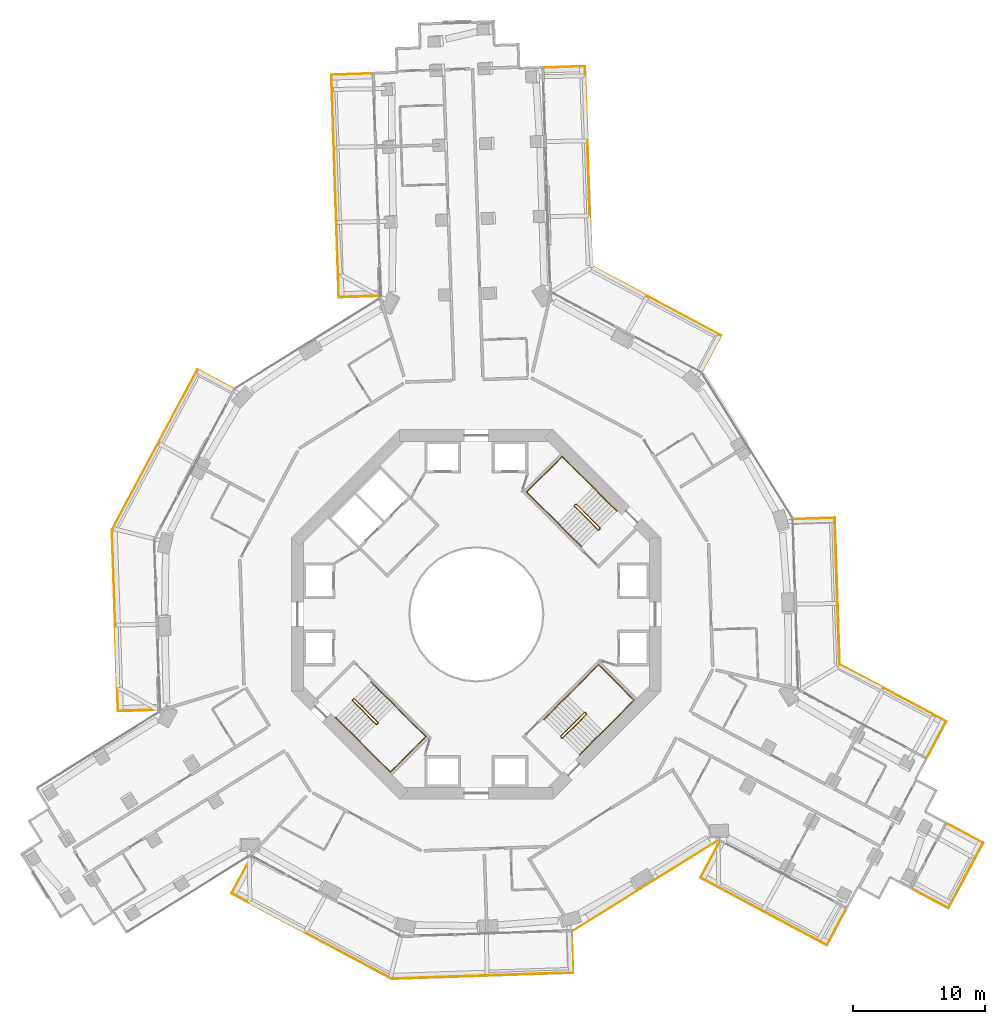
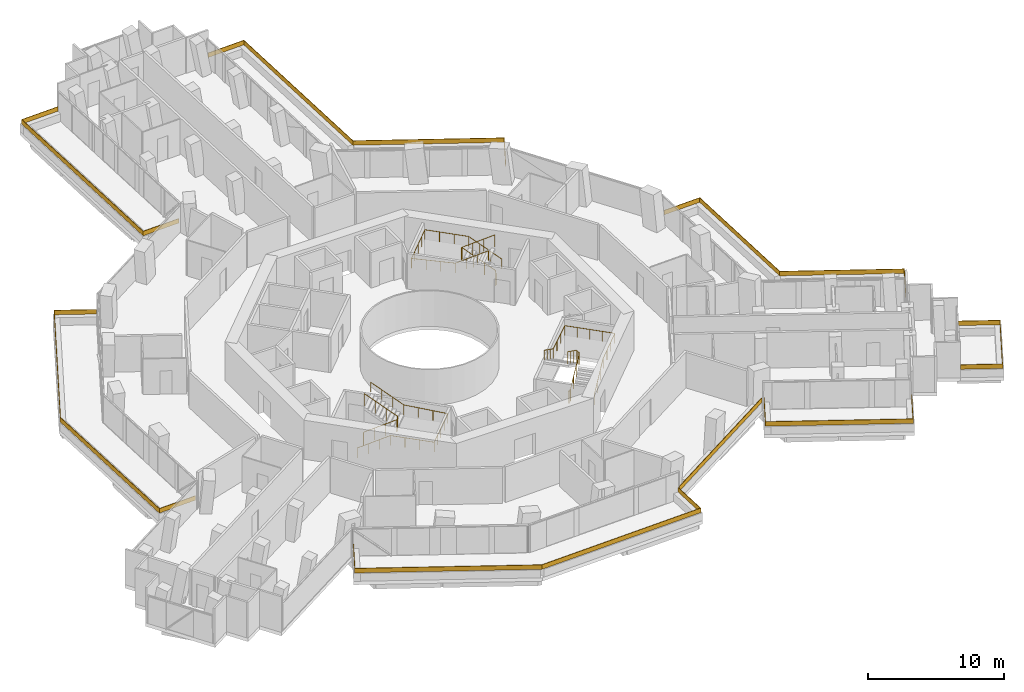
# One storey, part 27 of 27: 14 railings.
"""IFC4 building model written with IfcOpenShell, lengths in metres."""

from ifc_helpers import new_model, si_unit, direction, frame, origin, origin_2d, place, context, subcontext, project, spatial, polyline, rectangle, circle, outline, extrude, material, layer, layer_set, type_object, element, save


model = new_model("IFC4")

# Units and contexts
model_context = context("Model", 3, precision=1e-05, world=origin(), true_north=direction((0.0, 1.0)))
body_context = subcontext(model_context, "Body", "Model", "MODEL_VIEW")
ifc_project = project(units=[si_unit("LENGTHUNIT", "METRE"), si_unit("AREAUNIT", "SQUARE_METRE"), si_unit("VOLUMEUNIT", "CUBIC_METRE"), si_unit("PLANEANGLEUNIT", "RADIAN"), si_unit("MASSUNIT", "GRAM", prefix="KILO")], contexts=[model_context])

# Site, building, storey
site_placement = place(None, origin())
site = spatial("IfcSite", under=ifc_project, at=site_placement, CompositionType="ELEMENT")
building_placement = place(site_placement, origin())
building = spatial("IfcBuilding", under=site, at=building_placement, Name="Verdalira Terraces Hotel", CompositionType="ELEMENT")
storey_placement = place(building_placement, frame((0.0, 0.0, 42.5)))
storey = spatial("IfcBuildingStorey", under=building, at=storey_placement, Name="L08", CompositionType="ELEMENT", Elevation=42.5)

# Railings
ifc_material_1 = material(Name="Laminated glass", Category="glass")
ifc_layer = layer(ifc_material_1, 0.0400390625)
ifc_layer_set = layer_set([ifc_layer], Name="Balcony glass guard 400")
railing_type_1 = type_object("IfcRailingType", Name="Balcony glass guard 400", PredefinedType="GUARDRAIL", material=ifc_layer_set)
railing_1_placement = place(storey_placement, frame((0.0, 0.0, 0.699951)))
element("IfcRailing", 1, at=railing_1_placement, inside=storey, type_object=railing_type_1, Name="Balcony glass guard", PredefinedType="GUARDRAIL", context=body_context, shape_type="SweptSolid", body=[
    extrude(outline(polyline([(-10.954346, 40.837158), (-10.391357, 24.043701), (-7.314209, 24.146729), (-7.312744, 24.106934), (-10.429932, 24.002441), (-10.995605, 40.875732), (-7.878418, 40.980225), (-7.877197, 40.94043), (-10.954346, 40.837158)])), origin(), (0.0, 0.0, 1.0), 0.400146),
])
railing_2_placement = place(storey_placement, frame((0.0, 0.0, 0.699951)))
element("IfcRailing", 2, at=railing_2_placement, inside=storey, type_object=railing_type_1, Name="Balcony glass guard", PredefinedType="GUARDRAIL", context=body_context, shape_type="SweptSolid", body=[
    extrude(outline(polyline([(-21.117188, 18.497314), (-27.568359, 6.405273), (-27.109131, -7.29248), (-24.031982, -7.189209), (-24.030518, -7.229248), (-27.147949, -7.33374), (-27.608643, 6.414551), (-21.133789, 18.551514), (-18.381836, 17.083252), (-18.400635, 17.048096), (-21.117188, 18.497314)])), origin(), (0.0, 0.0, 1.0), 0.400146),
])
railing_3_placement = place(storey_placement, frame((0.0, 0.0, 0.699951)))
element("IfcRailing", 3, at=railing_3_placement, inside=storey, type_object=railing_type_1, Name="Balcony glass guard", PredefinedType="GUARDRAIL", context=body_context, shape_type="SweptSolid", body=[
    extrude(outline(polyline([(-18.497314, -21.117188), (-6.405273, -27.568359), (7.29248, -27.109131), (7.189209, -24.031982), (7.229248, -24.030518), (7.33374, -27.147949), (-6.414551, -27.608643), (-18.551514, -21.133789), (-17.083252, -18.381836), (-17.048096, -18.400635), (-18.497314, -21.117188)])), origin(), (0.0, 0.0, 1.0), 0.400146),
])
railing_4_placement = place(storey_placement, frame((0.0, 0.0, 0.699951)))
element("IfcRailing", 4, at=railing_4_placement, inside=storey, type_object=railing_type_1, Name="Balcony glass guard", PredefinedType="GUARDRAIL", context=body_context, shape_type="SweptSolid", body=[
    extrude(outline(polyline([(16.999512, -19.927246), (26.530762, -25.012207), (27.97998, -22.295654), (28.015381, -22.314453), (26.547119, -25.066406), (16.945312, -19.943848), (18.41333, -17.191895), (18.44873, -17.210693), (16.999512, -19.927246)])), origin(), (0.0, 0.0, 1.0), 0.400146),
])
railing_5_placement = place(storey_placement, frame((0.0, 0.0, 0.699951)))
element("IfcRailing", 5, at=railing_5_placement, inside=storey, type_object=railing_type_1, Name="Balcony glass guard", PredefinedType="GUARDRAIL", context=body_context, shape_type="SweptSolid", body=[
    extrude(outline(polyline([(35.731201, -22.213623), (38.348145, -17.307861), (35.631592, -15.858643), (35.650391, -15.823486), (38.402344, -17.291504), (35.747559, -22.267578), (32.99585, -20.799561), (33.014648, -20.76416), (35.731201, -22.213623)])), origin(), (0.0, 0.0, 1.0), 0.400146),
])
railing_6_placement = place(storey_placement, frame((0.0, 0.0, 0.699951)))
element("IfcRailing", 6, at=railing_6_placement, inside=storey, type_object=railing_type_1, Name="Balcony glass guard", PredefinedType="GUARDRAIL", context=body_context, shape_type="SweptSolid", body=[
    extrude(outline(polyline([(35.549561, -8.107666), (27.481201, -3.803223), (27.109131, 7.29248), (24.031982, 7.189209), (24.030518, 7.229248), (27.147949, 7.33374), (27.520264, -3.778809), (35.603516, -8.091064), (34.135498, -10.843018), (34.100098, -10.824219), (35.549561, -8.107666)])), origin(), (0.0, 0.0, 1.0), 0.400146),
])
railing_7_placement = place(storey_placement, frame((0.0, 0.0, 0.699951)))
element("IfcRailing", 7, at=railing_7_placement, inside=storey, type_object=railing_type_1, Name="Balcony glass guard", PredefinedType="GUARDRAIL", context=body_context, shape_type="SweptSolid", body=[
    extrude(outline(polyline([(18.497314, 21.117188), (8.702393, 26.343018), (8.194824, 41.479004), (5.117676, 41.375977), (5.116211, 41.416016), (8.233398, 41.520508), (8.741455, 26.367432), (18.551514, 21.133789), (17.083252, 18.381836), (17.048096, 18.400635), (18.497314, 21.117188)])), origin(), (0.0, 0.0, 1.0), 0.400146),
])
railing_8_placement = place(storey_placement, frame((12.799805, -20.547607, 0.699951), z_axis=(0.0, 0.0, 1.0), x_axis=(0.848787176, 0.52873465, 0.0)))
element("IfcRailing", 8, at=railing_8_placement, inside=storey, type_object=railing_type_1, Name="Loggia glass guard", PredefinedType="GUARDRAIL", context=body_context, shape_type="SweptSolid", body=[
    extrude(rectangle(XDim=12.840088, YDim=0.040039, at=origin_2d()), origin(), (0.0, 0.0, 1.0), 0.399902),
])
ifc_material_2 = material(Name="Stainless steel", Category="steel")
railing_type_2 = type_object("IfcRailingType", Name="Stair guard 1100", PredefinedType="GUARDRAIL", material=ifc_material_2)
railing_9_placement = place(storey_placement, frame((9.369141, 6.469971, 0.0)))
element("IfcRailing", 9, at=railing_9_placement, inside=storey, type_object=railing_type_2, Name="L08 ST1 stair guard 1", PredefinedType="GUARDRAIL", context=body_context, shape_type="SweptSolid", body=[
    extrude(circle(Radius=0.023926, at=origin_2d()), frame((0.0, 0.0, 1.076172), z_axis=(-0.70832698, -0.705884473, 0.0), x_axis=(0.705884473, -0.70832698, 0.0)), (0.0, 0.0, 1.0), 0.099854),
    extrude(circle(Radius=0.023926, at=origin_2d()), frame((-0.070801, -0.070557, 1.076172), z_axis=(0.300162975, 0.599290904, 0.742127078), x_axis=(-0.894118129, 0.447831187, 0.0)), (0.0, 0.0, 1.0), 0.23584),
    extrude(circle(Radius=0.023926, at=origin_2d()), frame((0.0, 0.070801, 1.250977), z_axis=(-0.599637504, 0.599637504, 0.52997144), x_axis=(-0.707106781, -0.707106781, 0.0)), (0.0, 0.0, 1.0), 2.97168),
    extrude(circle(Radius=0.023926, at=origin_2d()), frame((-1.781982, 1.852783, 2.826172), z_axis=(-1.0, 0.0, 0.0), x_axis=(0.0, -1.0, 0.0)), (0.0, 0.0, 1.0), 0.070557),
    extrude(circle(Radius=0.023926, at=origin_2d()), frame((-1.852539, 1.852783, 2.826172), z_axis=(-0.707106781, -0.707106781, 0.0), x_axis=(0.707106781, -0.707106781, 0.0)), (0.0, 0.0, 1.0), 0.100098),
    extrude(circle(Radius=0.023926, at=origin_2d()), frame((-1.92334, 1.781982, 2.826172), z_axis=(0.0, -0.374954687, 0.92704314), x_axis=(1.0, 0.0, 0.0)), (0.0, 0.0, 1.0), 0.188721),
    extrude(circle(Radius=0.023926, at=origin_2d()), frame((-1.92334, 1.711182, 3.000977), z_axis=(0.599667044, -0.599584886, 0.529997548), x_axis=(0.707058338, 0.707155221, 0.0)), (0.0, 0.0, 1.0), 2.97168),
    extrude(circle(Radius=0.020996, at=origin_2d()), origin(), (0.0, 0.0, 1.0), 1.052002),
    extrude(circle(Radius=0.020996, at=origin_2d()), frame((-0.070801, -0.070557, 0.0)), (0.0, 0.0, 1.0), 1.052002),
    extrude(circle(Radius=0.020996, at=origin_2d()), frame((0.0, 0.070801, 0.175049)), (0.0, 0.0, 1.0), 1.052002),
    extrude(circle(Radius=0.020996, at=origin_2d()), frame((-0.593994, 0.664795, 0.699951)), (0.0, 0.0, 1.0), 1.052002),
    extrude(circle(Radius=0.020996, at=origin_2d()), frame((-1.187988, 1.258789, 1.225098)), (0.0, 0.0, 1.0), 1.052002),
    extrude(circle(Radius=0.020996, at=origin_2d()), frame((-1.781982, 1.852783, 1.75)), (0.0, 0.0, 1.0), 1.052002),
    extrude(circle(Radius=0.020996, at=origin_2d()), frame((-1.852539, 1.852783, 1.75)), (0.0, 0.0, 1.0), 1.052002),
    extrude(circle(Radius=0.020996, at=origin_2d()), frame((-1.92334, 1.781982, 1.75)), (0.0, 0.0, 1.0), 1.052002),
    extrude(circle(Radius=0.020996, at=origin_2d()), frame((-1.92334, 1.711182, 1.925049)), (0.0, 0.0, 1.0), 1.052002),
    extrude(circle(Radius=0.020996, at=origin_2d()), frame((-1.329346, 1.117188, 2.449951)), (0.0, 0.0, 1.0), 1.052002),
    extrude(circle(Radius=0.020996, at=origin_2d()), frame((-0.735352, 0.523438, 2.975098)), (0.0, 0.0, 1.0), 1.052002),
    extrude(circle(Radius=0.020996, at=origin_2d()), frame((-0.141357, -0.070557, 3.5)), (0.0, 0.0, 1.0), 1.052002),
])
railing_10_placement = place(storey_placement, frame((-9.369141, -6.469971, 0.0)))
element("IfcRailing", 10, at=railing_10_placement, inside=storey, type_object=railing_type_2, Name="L08 ST2 stair guard 1", PredefinedType="GUARDRAIL", context=body_context, shape_type="SweptSolid", body=[
    extrude(circle(Radius=0.023926, at=origin_2d()), frame((0.0, 0.0, 1.076172), z_axis=(0.70832698, 0.705884473, 0.0), x_axis=(-0.705884473, 0.70832698, 0.0)), (0.0, 0.0, 1.0), 0.099854),
    extrude(circle(Radius=0.023926, at=origin_2d()), frame((0.070801, 0.070557, 1.076172), z_axis=(-0.300162975, -0.599290904, 0.742127078), x_axis=(0.894118129, -0.447831187, 0.0)), (0.0, 0.0, 1.0), 0.23584),
    extrude(circle(Radius=0.023926, at=origin_2d()), frame((0.0, -0.070801, 1.250977), z_axis=(0.599637504, -0.599637504, 0.52997144), x_axis=(0.707106781, 0.707106781, 0.0)), (0.0, 0.0, 1.0), 2.97168),
    extrude(circle(Radius=0.023926, at=origin_2d()), frame((1.781982, -1.852783, 2.826172), z_axis=(1.0, 0.0, 0.0), x_axis=(0.0, 1.0, 0.0)), (0.0, 0.0, 1.0), 0.070557),
    extrude(circle(Radius=0.023926, at=origin_2d()), frame((1.852539, -1.852783, 2.826172), z_axis=(0.707106781, 0.707106781, 0.0), x_axis=(-0.707106781, 0.707106781, 0.0)), (0.0, 0.0, 1.0), 0.100098),
    extrude(circle(Radius=0.023926, at=origin_2d()), frame((1.92334, -1.781982, 2.826172), z_axis=(0.0, 0.374954687, 0.92704314), x_axis=(-1.0, 0.0, 0.0)), (0.0, 0.0, 1.0), 0.188721),
    extrude(circle(Radius=0.023926, at=origin_2d()), frame((1.92334, -1.711182, 3.000977), z_axis=(-0.599667044, 0.599584886, 0.529997548), x_axis=(-0.707058338, -0.707155221, 0.0)), (0.0, 0.0, 1.0), 2.97168),
    extrude(circle(Radius=0.020996, at=origin_2d()), origin(), (0.0, 0.0, 1.0), 1.052002),
    extrude(circle(Radius=0.020996, at=origin_2d()), frame((0.070801, 0.070557, 0.0)), (0.0, 0.0, 1.0), 1.052002),
    extrude(circle(Radius=0.020996, at=origin_2d()), frame((0.0, -0.070801, 0.175049)), (0.0, 0.0, 1.0), 1.052002),
    extrude(circle(Radius=0.020996, at=origin_2d()), frame((0.593994, -0.664795, 0.699951)), (0.0, 0.0, 1.0), 1.052002),
    extrude(circle(Radius=0.020996, at=origin_2d()), frame((1.187988, -1.258789, 1.225098)), (0.0, 0.0, 1.0), 1.052002),
    extrude(circle(Radius=0.020996, at=origin_2d()), frame((1.781982, -1.852783, 1.75)), (0.0, 0.0, 1.0), 1.052002),
    extrude(circle(Radius=0.020996, at=origin_2d()), frame((1.852539, -1.852783, 1.75)), (0.0, 0.0, 1.0), 1.052002),
    extrude(circle(Radius=0.020996, at=origin_2d()), frame((1.92334, -1.781982, 1.75)), (0.0, 0.0, 1.0), 1.052002),
    extrude(circle(Radius=0.020996, at=origin_2d()), frame((1.92334, -1.711182, 1.925049)), (0.0, 0.0, 1.0), 1.052002),
    extrude(circle(Radius=0.020996, at=origin_2d()), frame((1.329346, -1.117188, 2.449951)), (0.0, 0.0, 1.0), 1.052002),
    extrude(circle(Radius=0.020996, at=origin_2d()), frame((0.735352, -0.523438, 2.975098)), (0.0, 0.0, 1.0), 1.052002),
    extrude(circle(Radius=0.020996, at=origin_2d()), frame((0.141357, 0.070557, 3.5)), (0.0, 0.0, 1.0), 1.052002),
])
railing_11_placement = place(storey_placement, frame((6.469971, -9.369141, 0.0)))
element("IfcRailing", 11, at=railing_11_placement, inside=storey, type_object=railing_type_2, Name="L08 ST3 stair guard 1", PredefinedType="GUARDRAIL", context=body_context, shape_type="SweptSolid", body=[
    extrude(circle(Radius=0.023926, at=origin_2d()), frame((0.0, 0.0, 1.076172), z_axis=(-0.705884473, 0.70832698, 0.0), x_axis=(-0.70832698, -0.705884473, 0.0)), (0.0, 0.0, 1.0), 0.099854),
    extrude(circle(Radius=0.023926, at=origin_2d()), frame((-0.070557, 0.070801, 1.076172), z_axis=(0.599290904, -0.300162975, 0.742127078), x_axis=(0.447831187, 0.894118129, 0.0)), (0.0, 0.0, 1.0), 0.23584),
    extrude(circle(Radius=0.023926, at=origin_2d()), frame((0.070801, 0.0, 1.250977), z_axis=(0.599637504, 0.599637504, 0.52997144), x_axis=(-0.707106781, 0.707106781, 0.0)), (0.0, 0.0, 1.0), 2.97168),
    extrude(circle(Radius=0.023926, at=origin_2d()), frame((1.852783, 1.781982, 2.826172), z_axis=(0.0, 1.0, 0.0), x_axis=(-1.0, 0.0, 0.0)), (0.0, 0.0, 1.0), 0.070557),
    extrude(circle(Radius=0.023926, at=origin_2d()), frame((1.852783, 1.852539, 2.826172), z_axis=(-0.707106781, 0.707106781, 0.0), x_axis=(-0.707106781, -0.707106781, 0.0)), (0.0, 0.0, 1.0), 0.100098),
    extrude(circle(Radius=0.023926, at=origin_2d()), frame((1.781982, 1.92334, 2.826172), z_axis=(-0.374954687, 0.0, 0.92704314), x_axis=(0.0, -1.0, 0.0)), (0.0, 0.0, 1.0), 0.188721),
    extrude(circle(Radius=0.023926, at=origin_2d()), frame((1.711182, 1.92334, 3.000977), z_axis=(-0.599584886, -0.599667044, 0.529997548), x_axis=(0.707155221, -0.707058338, 0.0)), (0.0, 0.0, 1.0), 2.97168),
    extrude(circle(Radius=0.020996, at=origin_2d()), origin(), (0.0, 0.0, 1.0), 1.052002),
    extrude(circle(Radius=0.020996, at=origin_2d()), frame((-0.070557, 0.070801, 0.0)), (0.0, 0.0, 1.0), 1.052002),
    extrude(circle(Radius=0.020996, at=origin_2d()), frame((0.070801, 0.0, 0.175049)), (0.0, 0.0, 1.0), 1.052002),
    extrude(circle(Radius=0.020996, at=origin_2d()), frame((0.664795, 0.593994, 0.699951)), (0.0, 0.0, 1.0), 1.052002),
    extrude(circle(Radius=0.020996, at=origin_2d()), frame((1.258789, 1.187988, 1.225098)), (0.0, 0.0, 1.0), 1.052002),
    extrude(circle(Radius=0.020996, at=origin_2d()), frame((1.852783, 1.781982, 1.75)), (0.0, 0.0, 1.0), 1.052002),
    extrude(circle(Radius=0.020996, at=origin_2d()), frame((1.852783, 1.852539, 1.75)), (0.0, 0.0, 1.0), 1.052002),
    extrude(circle(Radius=0.020996, at=origin_2d()), frame((1.781982, 1.92334, 1.75)), (0.0, 0.0, 1.0), 1.052002),
    extrude(circle(Radius=0.020996, at=origin_2d()), frame((1.711182, 1.92334, 1.925049)), (0.0, 0.0, 1.0), 1.052002),
    extrude(circle(Radius=0.020996, at=origin_2d()), frame((1.117188, 1.329346, 2.449951)), (0.0, 0.0, 1.0), 1.052002),
    extrude(circle(Radius=0.020996, at=origin_2d()), frame((0.523438, 0.735352, 2.975098)), (0.0, 0.0, 1.0), 1.052002),
    extrude(circle(Radius=0.020996, at=origin_2d()), frame((-0.070557, 0.141357, 3.5)), (0.0, 0.0, 1.0), 1.052002),
])
ifc_material_3 = material(Name="Stainless steel", Category="steel")
railing_type_3 = type_object("IfcRailingType", Name="Stair handrail 900", PredefinedType="HANDRAIL", material=ifc_material_3)
railing_12_placement = place(storey_placement, frame((10.641846, 7.813477, 0.175049)))
element("IfcRailing", 12, at=railing_12_placement, inside=storey, type_object=railing_type_3, Name="L08 ST1 stair handrail 1", PredefinedType="HANDRAIL", context=body_context, shape_type="SweptSolid", body=[
    extrude(circle(Radius=0.023926, at=origin_2d()), frame((0.0, 0.0, 0.875977), z_axis=(-0.599584886, 0.599667044, 0.529997548), x_axis=(-0.707155221, -0.707058338, 0.0)), (0.0, 0.0, 1.0), 2.97168),
    extrude(circle(Radius=0.023926, at=origin_2d()), frame((-1.781738, 1.781982, 2.450684), z_axis=(-0.707106781, 0.707106781, 0.0), x_axis=(-0.707106781, -0.707106781, 0.0)), (0.0, 0.0, 1.0), 3.330078),
    extrude(circle(Radius=0.023926, at=origin_2d()), frame((-4.136475, 4.136719, 2.450684), z_axis=(-0.707106781, -0.707106781, 0.0), x_axis=(0.707106781, -0.707106781, 0.0)), (0.0, 0.0, 1.0), 3.800049),
    extrude(circle(Radius=0.023926, at=origin_2d()), frame((-6.823486, 1.449707, 2.450684), z_axis=(0.706131881, -0.706131881, 0.052493163), x_axis=(0.707106781, 0.707106781, 0.0)), (0.0, 0.0, 1.0), 3.334717),
    extrude(circle(Radius=0.023926, at=origin_2d()), frame((-4.46875, -0.905029, 2.625977), z_axis=(0.599584886, -0.599667044, 0.529997548), x_axis=(0.707155221, 0.707058338, 0.0)), (0.0, 0.0, 1.0), 2.97168),
    extrude(circle(Radius=0.020996, at=origin_2d()), origin(), (0.0, 0.0, 1.0), 0.851807),
    extrude(circle(Radius=0.020996, at=origin_2d()), frame((-0.593994, 0.593994, 0.524902)), (0.0, 0.0, 1.0), 0.851807),
    extrude(circle(Radius=0.020996, at=origin_2d()), frame((-1.187744, 1.187988, 1.050049)), (0.0, 0.0, 1.0), 0.851807),
    extrude(circle(Radius=0.020996, at=origin_2d()), frame((-1.781738, 1.781982, 1.574951)), (0.0, 0.0, 1.0), 0.851807),
    extrude(circle(Radius=0.020996, at=origin_2d()), frame((-2.56665, 2.566895, 1.574951)), (0.0, 0.0, 1.0), 0.851807),
    extrude(circle(Radius=0.020996, at=origin_2d()), frame((-3.351562, 3.351807, 1.574951)), (0.0, 0.0, 1.0), 0.851807),
    extrude(circle(Radius=0.020996, at=origin_2d()), frame((-4.136475, 4.136719, 1.574951)), (0.0, 0.0, 1.0), 0.851807),
    extrude(circle(Radius=0.020996, at=origin_2d()), frame((-4.808105, 3.464844, 1.574951)), (0.0, 0.0, 1.0), 0.851807),
    extrude(circle(Radius=0.020996, at=origin_2d()), frame((-5.47998, 2.793213, 1.574951)), (0.0, 0.0, 1.0), 0.851807),
    extrude(circle(Radius=0.020996, at=origin_2d()), frame((-6.151855, 2.121582, 1.574951)), (0.0, 0.0, 1.0), 0.851807),
    extrude(circle(Radius=0.020996, at=origin_2d()), frame((-6.823486, 1.449707, 1.574951)), (0.0, 0.0, 1.0), 0.851807),
    extrude(circle(Radius=0.020996, at=origin_2d()), frame((-6.038574, 0.664795, 1.633301)), (0.0, 0.0, 1.0), 0.851807),
    extrude(circle(Radius=0.020996, at=origin_2d()), frame((-5.253662, -0.120117, 1.69165)), (0.0, 0.0, 1.0), 0.851807),
    extrude(circle(Radius=0.020996, at=origin_2d()), frame((-4.46875, -0.905029, 1.75)), (0.0, 0.0, 1.0), 0.851807),
    extrude(circle(Radius=0.020996, at=origin_2d()), frame((-3.874756, -1.499023, 2.274902)), (0.0, 0.0, 1.0), 0.851807),
    extrude(circle(Radius=0.020996, at=origin_2d()), frame((-3.281006, -2.093018, 2.800049)), (0.0, 0.0, 1.0), 0.851807),
    extrude(circle(Radius=0.020996, at=origin_2d()), frame((-2.687012, -2.687012, 3.324951)), (0.0, 0.0, 1.0), 0.851807),
])
railing_13_placement = place(storey_placement, frame((-10.641846, -7.813477, 0.175049)))
element("IfcRailing", 13, at=railing_13_placement, inside=storey, type_object=railing_type_3, Name="L08 ST2 stair handrail 1", PredefinedType="HANDRAIL", context=body_context, shape_type="SweptSolid", body=[
    extrude(circle(Radius=0.023926, at=origin_2d()), frame((0.0, 0.0, 0.875977), z_axis=(0.599584886, -0.599667044, 0.529997548), x_axis=(0.707155221, 0.707058338, 0.0)), (0.0, 0.0, 1.0), 2.97168),
    extrude(circle(Radius=0.023926, at=origin_2d()), frame((1.781738, -1.781982, 2.450684), z_axis=(0.707106781, -0.707106781, 0.0), x_axis=(0.707106781, 0.707106781, 0.0)), (0.0, 0.0, 1.0), 3.330078),
    extrude(circle(Radius=0.023926, at=origin_2d()), frame((4.136475, -4.136719, 2.450684), z_axis=(0.707106781, 0.707106781, 0.0), x_axis=(-0.707106781, 0.707106781, 0.0)), (0.0, 0.0, 1.0), 3.800049),
    extrude(circle(Radius=0.023926, at=origin_2d()), frame((6.823486, -1.449707, 2.450684), z_axis=(-0.706131881, 0.706131881, 0.052493163), x_axis=(-0.707106781, -0.707106781, 0.0)), (0.0, 0.0, 1.0), 3.334717),
    extrude(circle(Radius=0.023926, at=origin_2d()), frame((4.46875, 0.905029, 2.625977), z_axis=(-0.599584886, 0.599667044, 0.529997548), x_axis=(-0.707155221, -0.707058338, 0.0)), (0.0, 0.0, 1.0), 2.97168),
    extrude(circle(Radius=0.020996, at=origin_2d()), origin(), (0.0, 0.0, 1.0), 0.851807),
    extrude(circle(Radius=0.020996, at=origin_2d()), frame((0.593994, -0.593994, 0.524902)), (0.0, 0.0, 1.0), 0.851807),
    extrude(circle(Radius=0.020996, at=origin_2d()), frame((1.187744, -1.187988, 1.050049)), (0.0, 0.0, 1.0), 0.851807),
    extrude(circle(Radius=0.020996, at=origin_2d()), frame((1.781738, -1.781982, 1.574951)), (0.0, 0.0, 1.0), 0.851807),
    extrude(circle(Radius=0.020996, at=origin_2d()), frame((2.56665, -2.566895, 1.574951)), (0.0, 0.0, 1.0), 0.851807),
    extrude(circle(Radius=0.020996, at=origin_2d()), frame((3.351562, -3.351807, 1.574951)), (0.0, 0.0, 1.0), 0.851807),
    extrude(circle(Radius=0.020996, at=origin_2d()), frame((4.136475, -4.136719, 1.574951)), (0.0, 0.0, 1.0), 0.851807),
    extrude(circle(Radius=0.020996, at=origin_2d()), frame((4.808105, -3.464844, 1.574951)), (0.0, 0.0, 1.0), 0.851807),
    extrude(circle(Radius=0.020996, at=origin_2d()), frame((5.47998, -2.793213, 1.574951)), (0.0, 0.0, 1.0), 0.851807),
    extrude(circle(Radius=0.020996, at=origin_2d()), frame((6.151855, -2.121582, 1.574951)), (0.0, 0.0, 1.0), 0.851807),
    extrude(circle(Radius=0.020996, at=origin_2d()), frame((6.823486, -1.449707, 1.574951)), (0.0, 0.0, 1.0), 0.851807),
    extrude(circle(Radius=0.020996, at=origin_2d()), frame((6.038574, -0.664795, 1.633301)), (0.0, 0.0, 1.0), 0.851807),
    extrude(circle(Radius=0.020996, at=origin_2d()), frame((5.253662, 0.120117, 1.69165)), (0.0, 0.0, 1.0), 0.851807),
    extrude(circle(Radius=0.020996, at=origin_2d()), frame((4.46875, 0.905029, 1.75)), (0.0, 0.0, 1.0), 0.851807),
    extrude(circle(Radius=0.020996, at=origin_2d()), frame((3.874756, 1.499023, 2.274902)), (0.0, 0.0, 1.0), 0.851807),
    extrude(circle(Radius=0.020996, at=origin_2d()), frame((3.281006, 2.093018, 2.800049)), (0.0, 0.0, 1.0), 0.851807),
    extrude(circle(Radius=0.020996, at=origin_2d()), frame((2.687012, 2.687012, 3.324951)), (0.0, 0.0, 1.0), 0.851807),
])
railing_14_placement = place(storey_placement, frame((7.813477, -10.641846, 0.175049)))
element("IfcRailing", 14, at=railing_14_placement, inside=storey, type_object=railing_type_3, Name="L08 ST3 stair handrail 1", PredefinedType="HANDRAIL", context=body_context, shape_type="SweptSolid", body=[
    extrude(circle(Radius=0.023926, at=origin_2d()), frame((0.0, 0.0, 0.875977), z_axis=(0.599667044, 0.599584886, 0.529997548), x_axis=(-0.707058338, 0.707155221, 0.0)), (0.0, 0.0, 1.0), 2.97168),
    extrude(circle(Radius=0.023926, at=origin_2d()), frame((1.781982, 1.781738, 2.450684), z_axis=(0.707106781, 0.707106781, 0.0), x_axis=(-0.707106781, 0.707106781, 0.0)), (0.0, 0.0, 1.0), 3.330078),
    extrude(circle(Radius=0.023926, at=origin_2d()), frame((4.136719, 4.136475, 2.450684), z_axis=(-0.707106781, 0.707106781, 0.0), x_axis=(-0.707106781, -0.707106781, 0.0)), (0.0, 0.0, 1.0), 3.800049),
    extrude(circle(Radius=0.023926, at=origin_2d()), frame((1.449707, 6.823486, 2.450684), z_axis=(-0.706131881, -0.706131881, 0.052493163), x_axis=(0.707106781, -0.707106781, 0.0)), (0.0, 0.0, 1.0), 3.334717),
    extrude(circle(Radius=0.023926, at=origin_2d()), frame((-0.905029, 4.46875, 2.625977), z_axis=(-0.599667044, -0.599584886, 0.529997548), x_axis=(0.707058338, -0.707155221, 0.0)), (0.0, 0.0, 1.0), 2.97168),
    extrude(circle(Radius=0.020996, at=origin_2d()), origin(), (0.0, 0.0, 1.0), 0.851807),
    extrude(circle(Radius=0.020996, at=origin_2d()), frame((0.593994, 0.593994, 0.524902)), (0.0, 0.0, 1.0), 0.851807),
    extrude(circle(Radius=0.020996, at=origin_2d()), frame((1.187988, 1.187744, 1.050049)), (0.0, 0.0, 1.0), 0.851807),
    extrude(circle(Radius=0.020996, at=origin_2d()), frame((1.781982, 1.781738, 1.574951)), (0.0, 0.0, 1.0), 0.851807),
    extrude(circle(Radius=0.020996, at=origin_2d()), frame((2.566895, 2.56665, 1.574951)), (0.0, 0.0, 1.0), 0.851807),
    extrude(circle(Radius=0.020996, at=origin_2d()), frame((3.351807, 3.351562, 1.574951)), (0.0, 0.0, 1.0), 0.851807),
    extrude(circle(Radius=0.020996, at=origin_2d()), frame((4.136719, 4.136475, 1.574951)), (0.0, 0.0, 1.0), 0.851807),
    extrude(circle(Radius=0.020996, at=origin_2d()), frame((3.464844, 4.808105, 1.574951)), (0.0, 0.0, 1.0), 0.851807),
    extrude(circle(Radius=0.020996, at=origin_2d()), frame((2.793213, 5.47998, 1.574951)), (0.0, 0.0, 1.0), 0.851807),
    extrude(circle(Radius=0.020996, at=origin_2d()), frame((2.121582, 6.151855, 1.574951)), (0.0, 0.0, 1.0), 0.851807),
    extrude(circle(Radius=0.020996, at=origin_2d()), frame((1.449707, 6.823486, 1.574951)), (0.0, 0.0, 1.0), 0.851807),
    extrude(circle(Radius=0.020996, at=origin_2d()), frame((0.664795, 6.038574, 1.633301)), (0.0, 0.0, 1.0), 0.851807),
    extrude(circle(Radius=0.020996, at=origin_2d()), frame((-0.120117, 5.253662, 1.69165)), (0.0, 0.0, 1.0), 0.851807),
    extrude(circle(Radius=0.020996, at=origin_2d()), frame((-0.905029, 4.46875, 1.75)), (0.0, 0.0, 1.0), 0.851807),
    extrude(circle(Radius=0.020996, at=origin_2d()), frame((-1.499023, 3.874756, 2.274902)), (0.0, 0.0, 1.0), 0.851807),
    extrude(circle(Radius=0.020996, at=origin_2d()), frame((-2.093018, 3.281006, 2.800049)), (0.0, 0.0, 1.0), 0.851807),
    extrude(circle(Radius=0.020996, at=origin_2d()), frame((-2.687012, 2.687012, 3.324951)), (0.0, 0.0, 1.0), 0.851807),
])

save(model, "model.ifc")
